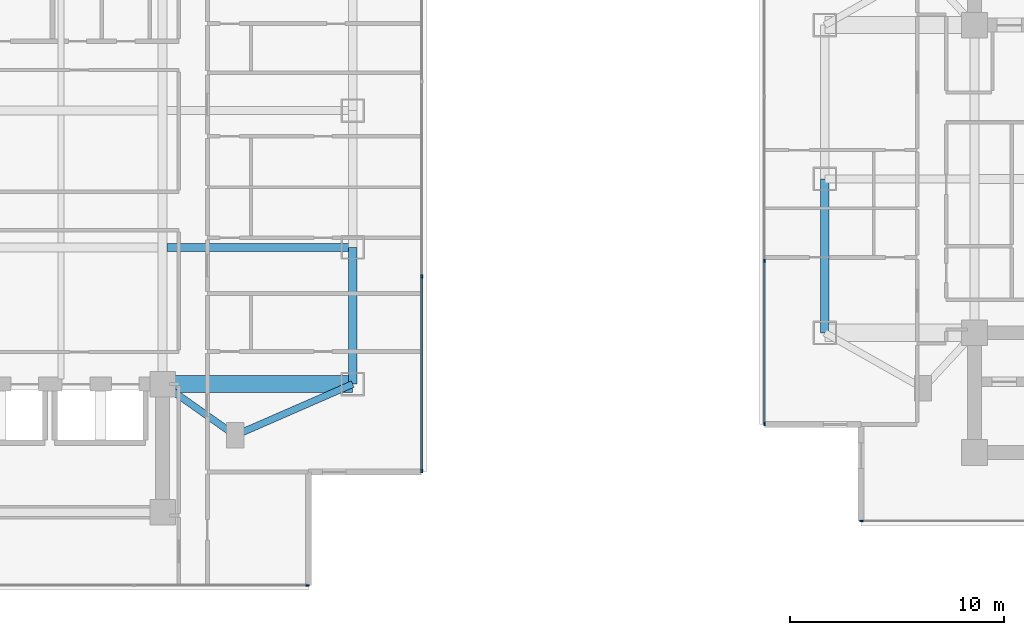
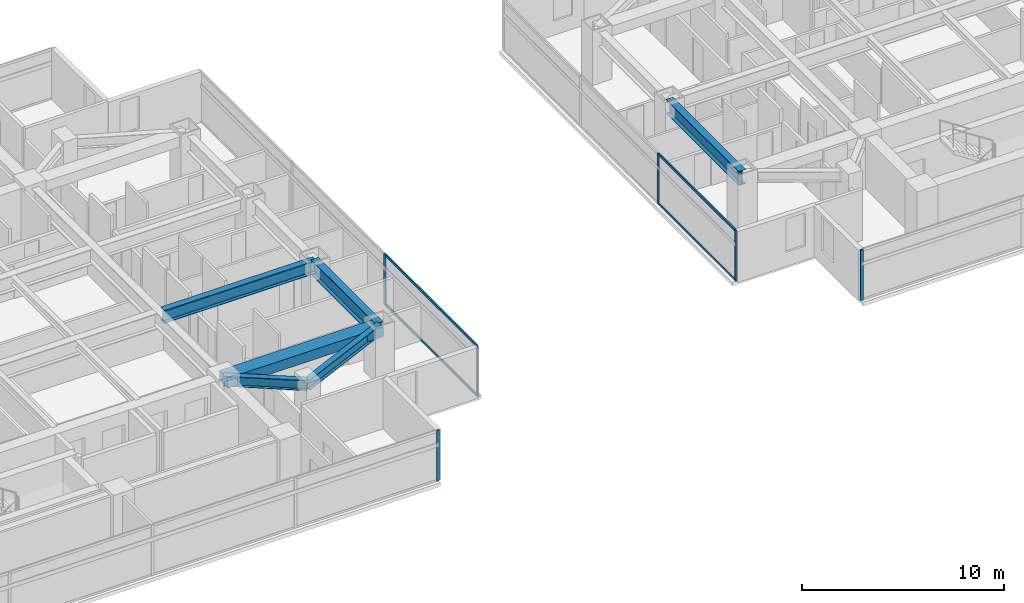
# One storey, part 4 of 25: 10 members, 6 beams, 4 elements without a shape of their own.
"""IFC4 building model written with IfcOpenShell, lengths in metres."""

from ifc_helpers import new_model, si_unit, direction, frame, origin, origin_2d, place, context, subcontext, project, spatial, rectangle, i_section, extrude, material, material_profile, profile_set, type_object, element, aggregate, save


model = new_model("IFC4")

# Units and contexts
model_context = context("Model", 3, precision=1e-05, world=origin(), true_north=direction((0.0, 1.0)))
body_context = subcontext(model_context, "Body", "Model", "MODEL_VIEW")
ifc_project = project(units=[si_unit("LENGTHUNIT", "METRE"), si_unit("AREAUNIT", "SQUARE_METRE"), si_unit("VOLUMEUNIT", "CUBIC_METRE"), si_unit("PLANEANGLEUNIT", "RADIAN"), si_unit("MASSUNIT", "GRAM", prefix="KILO")], contexts=[model_context])

# Site, building, storey
site_placement = place(None, origin())
site = spatial("IfcSite", under=ifc_project, at=site_placement, CompositionType="ELEMENT")
building_placement = place(site_placement, origin())
building = spatial("IfcBuilding", under=site, at=building_placement, Name="Mirazonda Arch Towers", CompositionType="ELEMENT")
storey_placement = place(building_placement, frame((0.0, 0.0, 104.89990234375)))
storey = spatial("IfcBuildingStorey", under=building, at=storey_placement, Name="L29", CompositionType="ELEMENT", Elevation=104.89990234375)

# Beams
ifc_material_1 = material(Name="Steel ASTM A992 Grade 50", Category="steel")
ifc_material_profile_1 = material_profile(ifc_material_1, i_section(OverallWidth=0.39990234375, OverallDepth=0.85595703125, WebThickness=0.018310546875, FlangeThickness=0.029296875, at=origin_2d()), Name="W33X201")
ifc_profile_set_1 = profile_set([ifc_material_profile_1], Name="Steel ASTM A992 Grade 50")
beam_type_1 = type_object("IfcBeamType", Name="BM-EXT-W33X201", PredefinedType="USERDEFINED", material=ifc_profile_set_1)
beam_1_placement = place(storey_placement, frame((61.0, 20.800048828125, 2.652099609375), z_axis=(0.0, 1.0, 0.0), x_axis=(-1.0, 0.0, 0.0)))
element("IfcBeam", 1, at=beam_1_placement, inside=storey, type_object=beam_type_1, Name="L29 Floor Beam BM-T2-L29-NS-W-20", ObjectType="GIRDER", PredefinedType="USERDEFINED", context=body_context, shape_type="SweptSolid", body=[
    extrude(i_section(OverallWidth=0.39990234375, OverallDepth=0.85595703125, WebThickness=0.018310546875, FlangeThickness=0.029296875, at=origin_2d()), origin(), (0.0, 0.0, 1.0), 7.199951171875),
])
ifc_material_profile_2 = material_profile(ifc_material_1, i_section(OverallWidth=0.41796875, OverallDepth=0.927001953125, WebThickness=0.019287109375, FlangeThickness=0.031982421875, at=origin_2d()), Name="W36X231")
ifc_profile_set_2 = profile_set([ifc_material_profile_2], Name="Steel ASTM A992 Grade 50")
beam_type_2 = type_object("IfcBeamType", Name="BM-EXT-W36X231", PredefinedType="USERDEFINED", material=ifc_profile_set_2)
beam_2_placement = place(storey_placement, frame((38.89990234375, 18.39990234375, 2.61669921875), z_axis=(0.0, 1.0, 0.0), x_axis=(-1.0, 0.0, 0.0)))
element("IfcBeam", 2, at=beam_2_placement, inside=storey, type_object=beam_type_2, Name="L29 Floor Beam BM-T1-L29-NS-E-18", ObjectType="GIRDER", PredefinedType="USERDEFINED", context=body_context, shape_type="SweptSolid", body=[
    extrude(i_section(OverallWidth=0.41796875, OverallDepth=0.927001953125, WebThickness=0.019287109375, FlangeThickness=0.031982421875, at=origin_2d()), origin(), (0.0, 0.0, 1.0), 6.400146484375),
])
ifc_material_profile_3 = material_profile(ifc_material_1, i_section(OverallWidth=0.324951171875, OverallDepth=0.615966796875, WebThickness=0.013916015625, FlangeThickness=0.021484375, at=origin_2d()), Name="W24X117")
ifc_profile_set_3 = profile_set([ifc_material_profile_3], Name="Steel ASTM A992 Grade 50")
beam_type_3 = type_object("IfcBeamType", Name="BM-INT-W24X117", PredefinedType="BEAM", material=ifc_profile_set_3)
beam_3_placement = place(storey_placement, frame((33.39990234375, 16.0, 2.772216796875), z_axis=(-0.816971114901, 0.576678591087, 0.0), x_axis=(-0.576678591087, -0.816971114901, 0.0)))
element("IfcBeam", 3, at=beam_3_placement, inside=storey, type_object=beam_type_3, Name="L29 Floor Beam BM-T1-L29-PL-SE1", PredefinedType="BEAM", context=body_context, shape_type="SweptSolid", body=[
    extrude(i_section(OverallWidth=0.324951171875, OverallDepth=0.615966796875, WebThickness=0.013916015625, FlangeThickness=0.021484375, at=origin_2d()), origin(), (0.0, 0.0, 1.0), 4.16162109375),
])
beam_4_placement = place(storey_placement, frame((33.39990234375, 16.0, 2.772216796875), z_axis=(0.916545343703, 0.399930785183, 0.0), x_axis=(-0.399930785183, 0.916545343703, 0.0)))
element("IfcBeam", 4, at=beam_4_placement, inside=storey, type_object=beam_type_3, Name="L29 Floor Beam BM-T1-L29-PL-SE2", PredefinedType="BEAM", context=body_context, shape_type="SweptSolid", body=[
    extrude(i_section(OverallWidth=0.324951171875, OverallDepth=0.615966796875, WebThickness=0.013916015625, FlangeThickness=0.021484375, at=origin_2d()), origin(), (0.0, 0.0, 1.0), 6.000732421875),
])
ifc_material_profile_4 = material_profile(ifc_material_1, i_section(OverallWidth=0.381103515625, OverallDepth=0.77294921875, WebThickness=0.0166015625, FlangeThickness=0.027099609375, at=origin_2d()), Name="W30X173")
ifc_profile_set_4 = profile_set([ifc_material_profile_4], Name="Steel ASTM A992 Grade 50")
beam_type_4 = type_object("IfcBeamType", Name="BM-INT-W30X173", PredefinedType="USERDEFINED", material=ifc_profile_set_4)
beam_5_placement = place(storey_placement, frame((30.21142578125, 24.800048828125, 2.693603515625), z_axis=(1.0, 0.0, 0.0), x_axis=(0.0, 1.0, 0.0)))
element("IfcBeam", 5, at=beam_5_placement, inside=storey, type_object=beam_type_4, Name="L29 Floor Beam BM-T1-L29-GE2", ObjectType="GIRDER", PredefinedType="USERDEFINED", context=body_context, shape_type="SweptSolid", body=[
    extrude(i_section(OverallWidth=0.381103515625, OverallDepth=0.77294921875, WebThickness=0.0166015625, FlangeThickness=0.027099609375, at=origin_2d()), origin(), (0.0, 0.0, 1.0), 8.6884765625),
])
ifc_material_2 = material(Name="Concrete C60/75", Category="concrete")
ifc_material_profile_5 = material_profile(ifc_material_2, rectangle(XDim=0.800048828125, YDim=0.60009765625, at=origin_2d()), Name="RCCB800x600")
ifc_profile_set_5 = profile_set([ifc_material_profile_5], Name="Concrete C60/75")
beam_type_5 = type_object("IfcBeamType", Name="CB-INT-RCCB800x600", PredefinedType="SPANDREL", material=ifc_profile_set_5)
beam_6_placement = place(storey_placement, frame((30.0, 18.39990234375, 2.780029296875), z_axis=(1.0, 0.0, 0.0), x_axis=(0.0, 1.0, 0.0)))
element("IfcBeam", 6, at=beam_6_placement, inside=storey, type_object=beam_type_5, Name="L29 Floor Beam CBC-T1-L29-SE", PredefinedType="SPANDREL", context=body_context, shape_type="SweptSolid", body=[
    extrude(rectangle(XDim=0.800048828125, YDim=0.60009765625, at=origin_2d()), origin(), (0.0, 0.0, 1.0), 8.89990234375),
])

# Curtain wall, member
ifc_material_3 = material(Name="Anodised Aluminium and Low-E Glass", Category="aluminium")
curtain_wall_type = type_object("IfcCurtainWallType", Name="CW-HTL-UNIT", PredefinedType="NOTDEFINED", material=ifc_material_3)
curtain_wall_1_placement = place(storey_placement, origin())
curtain_wall_1 = element("IfcCurtainWall", 7, at=curtain_wall_1_placement, inside=storey, type_object=curtain_wall_type, Name="L29 T1 S Facade CW-L29-T1-S", PredefinedType="NOTDEFINED")
ifc_material_4 = material(Name="Anodised Aluminium Alloy", Category="aluminium")
ifc_material_profile_6 = material_profile(ifc_material_4, rectangle(XDim=0.074951171875, YDim=0.1650390625, at=origin_2d()), Name="ALU-MULL-75x165")
ifc_profile_set_6 = profile_set([ifc_material_profile_6], Name="Anodised Aluminium Alloy")
member_type_1 = type_object("IfcMemberType", Name="MULL-CW-HTL-UNIT", PredefinedType="MULLION", material=ifc_profile_set_6)
member_1_placement = place(storey_placement, frame((36.78759765625, 8.97998046875, 0.0), z_axis=(0.0, 0.0, 1.0), x_axis=(0.0, -1.0, 0.0)))
member_1 = element("IfcMember", 8, at=member_1_placement, type_object=member_type_1, Name="CW-112 mullion 1", PredefinedType="MULLION", context=body_context, shape_type="SweptSolid", body=[
    extrude(rectangle(XDim=0.074951171875, YDim=0.1650390625, at=origin_2d()), origin(), (0.0, 0.0, 1.0), 3.06005859375),
])
aggregate(curtain_wall_1, [member_1])

# Curtain wall, members
curtain_wall_2_placement = place(storey_placement, origin())
curtain_wall_2 = element("IfcCurtainWall", 9, at=curtain_wall_2_placement, inside=storey, type_object=curtain_wall_type, Name="L29 T1 E Facade CW-L29-T1-E", PredefinedType="NOTDEFINED")
member_2_placement = place(storey_placement, frame((42.1298828125, 14.322509765625, 0.0), z_axis=(0.0, 0.0, 1.0), x_axis=(-1.0, 0.0, 0.0)))
member_2 = element("IfcMember", 10, at=member_2_placement, type_object=member_type_1, Name="CW-112 mullion 1", PredefinedType="MULLION", context=body_context, shape_type="SweptSolid", body=[
    extrude(rectangle(XDim=0.074951171875, YDim=0.1650390625, at=origin_2d()), origin(), (0.0, 0.0, 1.0), 3.06005859375),
])
member_3_placement = place(storey_placement, frame((42.1298828125, 23.42822265625, 0.0), z_axis=(0.0, 0.0, 1.0), x_axis=(-1.0, 0.0, 0.0)))
member_3 = element("IfcMember", 11, at=member_3_placement, type_object=member_type_1, Name="CW-112 mullion 2", PredefinedType="MULLION", context=body_context, shape_type="SweptSolid", body=[
    extrude(rectangle(XDim=0.074951171875, YDim=0.1650390625, at=origin_2d()), origin(), (0.0, 0.0, 1.0), 3.06005859375),
])

# Curtain wall, member
curtain_wall_3_placement = place(storey_placement, origin())
curtain_wall_3 = element("IfcCurtainWall", 12, at=curtain_wall_3_placement, inside=storey, type_object=curtain_wall_type, Name="L29 T2 S Facade CW-L29-T2-S", PredefinedType="NOTDEFINED")
member_4_placement = place(storey_placement, frame((62.72119140625, 11.986083984375, 0.0), z_axis=(0.0, 0.0, 1.0), x_axis=(0.0, -1.0, 0.0)))
member_4 = element("IfcMember", 13, at=member_4_placement, type_object=member_type_1, Name="CW-112 mullion 4", PredefinedType="MULLION", context=body_context, shape_type="SweptSolid", body=[
    extrude(rectangle(XDim=0.074951171875, YDim=0.1650390625, at=origin_2d()), origin(), (0.0, 0.0, 1.0), 3.06005859375),
])
aggregate(curtain_wall_3, [member_4])

# Curtain wall, members
curtain_wall_4_placement = place(storey_placement, origin())
curtain_wall_4 = element("IfcCurtainWall", 14, at=curtain_wall_4_placement, inside=storey, type_object=curtain_wall_type, Name="L29 T2 W Facade CW-L29-T2-W", PredefinedType="NOTDEFINED")
member_5_placement = place(storey_placement, frame((58.16748046875, 24.16748046875, 0.0), z_axis=(0.0, 0.0, 1.0), x_axis=(1.0, 0.0, 0.0)))
member_5 = element("IfcMember", 15, at=member_5_placement, type_object=member_type_1, Name="CW-112 mullion 3", PredefinedType="MULLION", context=body_context, shape_type="SweptSolid", body=[
    extrude(rectangle(XDim=0.074951171875, YDim=0.1650390625, at=origin_2d()), origin(), (0.0, 0.0, 1.0), 3.06005859375),
])
member_6_placement = place(storey_placement, frame((58.16748046875, 16.539794921875, 0.0), z_axis=(0.0, 0.0, 1.0), x_axis=(1.0, 0.0, 0.0)))
member_6 = element("IfcMember", 16, at=member_6_placement, type_object=member_type_1, Name="CW-112 mullion 4", PredefinedType="MULLION", context=body_context, shape_type="SweptSolid", body=[
    extrude(rectangle(XDim=0.074951171875, YDim=0.1650390625, at=origin_2d()), origin(), (0.0, 0.0, 1.0), 3.06005859375),
])

# Member
ifc_material_profile_7 = material_profile(ifc_material_4, rectangle(XDim=0.074951171875, YDim=0.14501953125, at=origin_2d()), Name="ALU-TRAN-75x145")
ifc_profile_set_7 = profile_set([ifc_material_profile_7], Name="Anodised Aluminium Alloy")
member_type_2 = type_object("IfcMemberType", Name="TRAN-CW-HTL-UNIT", PredefinedType="USERDEFINED", material=ifc_profile_set_7)
member_7_placement = place(storey_placement, frame((42.1298828125, 14.360107421875, 0.03759765625), z_axis=(0.0, 1.0, 0.0), x_axis=(-1.0, 0.0, 0.0)))
member_7 = element("IfcMember", 17, at=member_7_placement, type_object=member_type_2, Name="CW-112 transom 1.1", ObjectType="TRANSOM", PredefinedType="USERDEFINED", context=body_context, shape_type="SweptSolid", body=[
    extrude(rectangle(XDim=0.074951171875, YDim=0.14501953125, at=origin_2d()), origin(), (0.0, 0.0, 1.0), 9.03076171875),
])

member_8_placement = place(storey_placement, frame((42.1298828125, 14.360107421875, 3.022705078125), z_axis=(0.0, 1.0, 0.0), x_axis=(-1.0, 0.0, 0.0)))
member_8 = element("IfcMember", 18, at=member_8_placement, type_object=member_type_2, Name="CW-112 transom 1.2", ObjectType="TRANSOM", PredefinedType="USERDEFINED", context=body_context, shape_type="SweptSolid", body=[
    extrude(rectangle(XDim=0.074951171875, YDim=0.14501953125, at=origin_2d()), origin(), (0.0, 0.0, 1.0), 9.03076171875),
])

aggregate(curtain_wall_2, [member_2, member_3, member_7, member_8])

member_9_placement = place(storey_placement, frame((58.16748046875, 24.1298828125, 0.03759765625), z_axis=(0.0, -1.0, 0.0), x_axis=(1.0, 0.0, 0.0)))
member_9 = element("IfcMember", 19, at=member_9_placement, type_object=member_type_2, Name="CW-112 transom 3.1", ObjectType="TRANSOM", PredefinedType="USERDEFINED", context=body_context, shape_type="SweptSolid", body=[
    extrude(rectangle(XDim=0.074951171875, YDim=0.14501953125, at=origin_2d()), origin(), (0.0, 0.0, 1.0), 7.552490234375),
])

member_10_placement = place(storey_placement, frame((58.16748046875, 24.1298828125, 3.022705078125), z_axis=(0.0, -1.0, 0.0), x_axis=(1.0, 0.0, 0.0)))
member_10 = element("IfcMember", 20, at=member_10_placement, type_object=member_type_2, Name="CW-112 transom 3.2", ObjectType="TRANSOM", PredefinedType="USERDEFINED", context=body_context, shape_type="SweptSolid", body=[
    extrude(rectangle(XDim=0.074951171875, YDim=0.14501953125, at=origin_2d()), origin(), (0.0, 0.0, 1.0), 7.552490234375),
])

aggregate(curtain_wall_4, [member_5, member_6, member_9, member_10])

save(model, "model.ifc")
